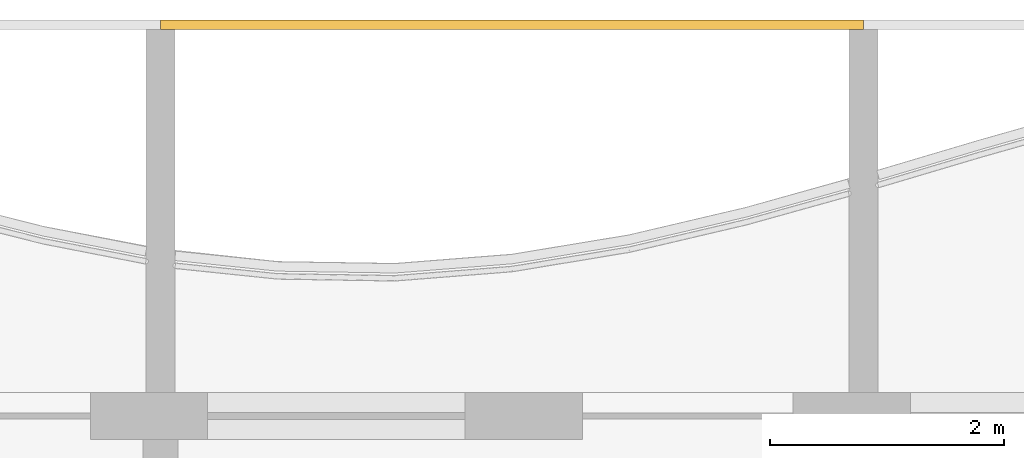
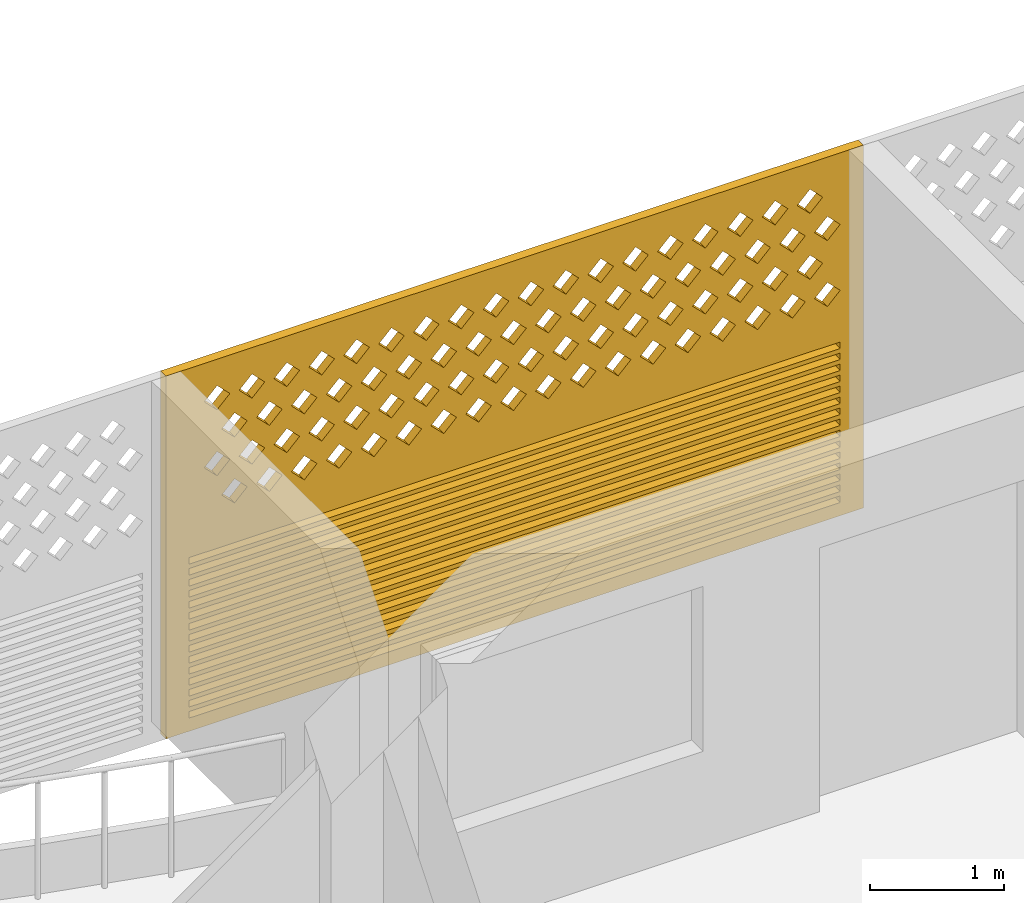
# One storey, part 31 of 33: 1 covering.
"""IFC4 building model written with IfcOpenShell, lengths in metres."""

from ifc_helpers import new_model, si_unit, direction, frame, origin, place, context, subcontext, project, spatial, polyline, outline, extrude, source, transform, mapped, material, material_profile, profile_set, type_object, element, save


model = new_model("IFC4")

# Units and contexts
model_context = context("Model", 3, precision=1e-05, world=origin(), true_north=direction((0.0, 1.0)))
body_context = subcontext(model_context, "Body", "Model", "MODEL_VIEW")
ifc_project = project(units=[si_unit("LENGTHUNIT", "METRE"), si_unit("AREAUNIT", "SQUARE_METRE"), si_unit("VOLUMEUNIT", "CUBIC_METRE"), si_unit("PLANEANGLEUNIT", "RADIAN"), si_unit("MASSUNIT", "GRAM", prefix="KILO")], contexts=[model_context])

# Site, building, storey
site_placement = place(None, origin())
site = spatial("IfcSite", under=ifc_project, at=site_placement, CompositionType="ELEMENT")
building_placement = place(site_placement, origin())
building = spatial("IfcBuilding", under=site, at=building_placement, Name="Poui Terraces", CompositionType="ELEMENT")
storey_placement = place(building_placement, frame((0.0, 0.0, 138.89990234375)))
storey = spatial("IfcBuildingStorey", under=building, at=storey_placement, Name="L38", CompositionType="ELEMENT", Elevation=138.89990234375)

# Covering
ifc_material = material(Name="Terracotta screen", Category="masonry")
ifc_material_profile = material_profile(ifc_material, outline(polyline([(-3.0, -1.64990234375), (3.0, -1.64990234375), (3.0, 1.64990234375), (-3.0, 1.64990234375), (-3.0, -1.64990234375)]), holes=[polyline([(-2.800048828125, 0.39990234375), (-2.68994140625, 0.2900390625), (-2.580078125, 0.39990234375), (-2.68994140625, 0.510009765625), (-2.800048828125, 0.39990234375)]), polyline([(-2.5, 0.39990234375), (-2.389892578125, 0.2900390625), (-2.280029296875, 0.39990234375), (-2.389892578125, 0.510009765625), (-2.5, 0.39990234375)]), polyline([(-2.199951171875, 0.39990234375), (-2.090087890625, 0.2900390625), (-1.97998046875, 0.39990234375), (-2.090087890625, 0.510009765625), (-2.199951171875, 0.39990234375)]), polyline([(-1.89990234375, 0.39990234375), (-1.7900390625, 0.2900390625), (-1.679931640625, 0.39990234375), (-1.7900390625, 0.510009765625), (-1.89990234375, 0.39990234375)]), polyline([(-1.60009765625, 0.39990234375), (-1.489990234375, 0.2900390625), (-1.3798828125, 0.39990234375), (-1.489990234375, 0.510009765625), (-1.60009765625, 0.39990234375)]), polyline([(-1.300048828125, 0.39990234375), (-1.18994140625, 0.2900390625), (-1.080078125, 0.39990234375), (-1.18994140625, 0.510009765625), (-1.300048828125, 0.39990234375)]), polyline([(-1.0, 0.39990234375), (-0.889892578125, 0.2900390625), (-0.780029296875, 0.39990234375), (-0.889892578125, 0.510009765625), (-1.0, 0.39990234375)]), polyline([(-0.699951171875, 0.39990234375), (-0.590087890625, 0.2900390625), (-0.47998046875, 0.39990234375), (-0.590087890625, 0.510009765625), (-0.699951171875, 0.39990234375)]), polyline([(-0.39990234375, 0.39990234375), (-0.2900390625, 0.2900390625), (-0.179931640625, 0.39990234375), (-0.2900390625, 0.510009765625), (-0.39990234375, 0.39990234375)]), polyline([(-0.10009765625, 0.39990234375), (0.010009765625, 0.2900390625), (0.1201171875, 0.39990234375), (0.010009765625, 0.510009765625), (-0.10009765625, 0.39990234375)]), polyline([(0.199951171875, 0.39990234375), (0.31005859375, 0.2900390625), (0.419921875, 0.39990234375), (0.31005859375, 0.510009765625), (0.199951171875, 0.39990234375)]), polyline([(0.5, 0.39990234375), (0.610107421875, 0.2900390625), (0.719970703125, 0.39990234375), (0.610107421875, 0.510009765625), (0.5, 0.39990234375)]), polyline([(0.800048828125, 0.39990234375), (0.909912109375, 0.2900390625), (1.02001953125, 0.39990234375), (0.909912109375, 0.510009765625), (0.800048828125, 0.39990234375)]), polyline([(1.10009765625, 0.39990234375), (1.2099609375, 0.2900390625), (1.320068359375, 0.39990234375), (1.2099609375, 0.510009765625), (1.10009765625, 0.39990234375)]), polyline([(1.39990234375, 0.39990234375), (1.510009765625, 0.2900390625), (1.6201171875, 0.39990234375), (1.510009765625, 0.510009765625), (1.39990234375, 0.39990234375)]), polyline([(1.699951171875, 0.39990234375), (1.81005859375, 0.2900390625), (1.919921875, 0.39990234375), (1.81005859375, 0.510009765625), (1.699951171875, 0.39990234375)]), polyline([(2.0, 0.39990234375), (2.110107421875, 0.2900390625), (2.219970703125, 0.39990234375), (2.110107421875, 0.510009765625), (2.0, 0.39990234375)]), polyline([(2.300048828125, 0.39990234375), (2.409912109375, 0.2900390625), (2.52001953125, 0.39990234375), (2.409912109375, 0.510009765625), (2.300048828125, 0.39990234375)]), polyline([(-2.64990234375, 0.699951171875), (-2.5400390625, 0.590087890625), (-2.429931640625, 0.699951171875), (-2.5400390625, 0.81005859375), (-2.64990234375, 0.699951171875)]), polyline([(-2.35009765625, 0.699951171875), (-2.239990234375, 0.590087890625), (-2.1298828125, 0.699951171875), (-2.239990234375, 0.81005859375), (-2.35009765625, 0.699951171875)]), polyline([(-2.050048828125, 0.699951171875), (-1.93994140625, 0.590087890625), (-1.830078125, 0.699951171875), (-1.93994140625, 0.81005859375), (-2.050048828125, 0.699951171875)]), polyline([(-1.75, 0.699951171875), (-1.639892578125, 0.590087890625), (-1.530029296875, 0.699951171875), (-1.639892578125, 0.81005859375), (-1.75, 0.699951171875)]), polyline([(-1.449951171875, 0.699951171875), (-1.340087890625, 0.590087890625), (-1.22998046875, 0.699951171875), (-1.340087890625, 0.81005859375), (-1.449951171875, 0.699951171875)]), polyline([(-1.14990234375, 0.699951171875), (-1.0400390625, 0.590087890625), (-0.929931640625, 0.699951171875), (-1.0400390625, 0.81005859375), (-1.14990234375, 0.699951171875)]), polyline([(-0.85009765625, 0.699951171875), (-0.739990234375, 0.590087890625), (-0.6298828125, 0.699951171875), (-0.739990234375, 0.81005859375), (-0.85009765625, 0.699951171875)]), polyline([(-0.550048828125, 0.699951171875), (-0.43994140625, 0.590087890625), (-0.330078125, 0.699951171875), (-0.43994140625, 0.81005859375), (-0.550048828125, 0.699951171875)]), polyline([(-0.25, 0.699951171875), (-0.139892578125, 0.590087890625), (-0.030029296875, 0.699951171875), (-0.139892578125, 0.81005859375), (-0.25, 0.699951171875)]), polyline([(0.050048828125, 0.699951171875), (0.159912109375, 0.590087890625), (0.27001953125, 0.699951171875), (0.159912109375, 0.81005859375), (0.050048828125, 0.699951171875)]), polyline([(0.35009765625, 0.699951171875), (0.4599609375, 0.590087890625), (0.570068359375, 0.699951171875), (0.4599609375, 0.81005859375), (0.35009765625, 0.699951171875)]), polyline([(0.64990234375, 0.699951171875), (0.760009765625, 0.590087890625), (0.8701171875, 0.699951171875), (0.760009765625, 0.81005859375), (0.64990234375, 0.699951171875)]), polyline([(0.949951171875, 0.699951171875), (1.06005859375, 0.590087890625), (1.169921875, 0.699951171875), (1.06005859375, 0.81005859375), (0.949951171875, 0.699951171875)]), polyline([(1.25, 0.699951171875), (1.360107421875, 0.590087890625), (1.469970703125, 0.699951171875), (1.360107421875, 0.81005859375), (1.25, 0.699951171875)]), polyline([(1.550048828125, 0.699951171875), (1.659912109375, 0.590087890625), (1.77001953125, 0.699951171875), (1.659912109375, 0.81005859375), (1.550048828125, 0.699951171875)]), polyline([(1.85009765625, 0.699951171875), (1.9599609375, 0.590087890625), (2.070068359375, 0.699951171875), (1.9599609375, 0.81005859375), (1.85009765625, 0.699951171875)]), polyline([(2.14990234375, 0.699951171875), (2.260009765625, 0.590087890625), (2.3701171875, 0.699951171875), (2.260009765625, 0.81005859375), (2.14990234375, 0.699951171875)]), polyline([(2.449951171875, 0.699951171875), (2.56005859375, 0.590087890625), (2.669921875, 0.699951171875), (2.56005859375, 0.81005859375), (2.449951171875, 0.699951171875)]), polyline([(-2.800048828125, 1.0), (-2.68994140625, 0.889892578125), (-2.580078125, 1.0), (-2.68994140625, 1.110107421875), (-2.800048828125, 1.0)]), polyline([(-2.5, 1.0), (-2.389892578125, 0.889892578125), (-2.280029296875, 1.0), (-2.389892578125, 1.110107421875), (-2.5, 1.0)]), polyline([(-2.199951171875, 1.0), (-2.090087890625, 0.889892578125), (-1.97998046875, 1.0), (-2.090087890625, 1.110107421875), (-2.199951171875, 1.0)]), polyline([(-1.89990234375, 1.0), (-1.7900390625, 0.889892578125), (-1.679931640625, 1.0), (-1.7900390625, 1.110107421875), (-1.89990234375, 1.0)]), polyline([(-1.60009765625, 1.0), (-1.489990234375, 0.889892578125), (-1.3798828125, 1.0), (-1.489990234375, 1.110107421875), (-1.60009765625, 1.0)]), polyline([(-1.300048828125, 1.0), (-1.18994140625, 0.889892578125), (-1.080078125, 1.0), (-1.18994140625, 1.110107421875), (-1.300048828125, 1.0)]), polyline([(-1.0, 1.0), (-0.889892578125, 0.889892578125), (-0.780029296875, 1.0), (-0.889892578125, 1.110107421875), (-1.0, 1.0)]), polyline([(-0.699951171875, 1.0), (-0.590087890625, 0.889892578125), (-0.47998046875, 1.0), (-0.590087890625, 1.110107421875), (-0.699951171875, 1.0)]), polyline([(-0.39990234375, 1.0), (-0.2900390625, 0.889892578125), (-0.179931640625, 1.0), (-0.2900390625, 1.110107421875), (-0.39990234375, 1.0)]), polyline([(-0.10009765625, 1.0), (0.010009765625, 0.889892578125), (0.1201171875, 1.0), (0.010009765625, 1.110107421875), (-0.10009765625, 1.0)]), polyline([(0.199951171875, 1.0), (0.31005859375, 0.889892578125), (0.419921875, 1.0), (0.31005859375, 1.110107421875), (0.199951171875, 1.0)]), polyline([(0.5, 1.0), (0.610107421875, 0.889892578125), (0.719970703125, 1.0), (0.610107421875, 1.110107421875), (0.5, 1.0)]), polyline([(0.800048828125, 1.0), (0.909912109375, 0.889892578125), (1.02001953125, 1.0), (0.909912109375, 1.110107421875), (0.800048828125, 1.0)]), polyline([(1.10009765625, 1.0), (1.2099609375, 0.889892578125), (1.320068359375, 1.0), (1.2099609375, 1.110107421875), (1.10009765625, 1.0)]), polyline([(1.39990234375, 1.0), (1.510009765625, 0.889892578125), (1.6201171875, 1.0), (1.510009765625, 1.110107421875), (1.39990234375, 1.0)]), polyline([(1.699951171875, 1.0), (1.81005859375, 0.889892578125), (1.919921875, 1.0), (1.81005859375, 1.110107421875), (1.699951171875, 1.0)]), polyline([(2.0, 1.0), (2.110107421875, 0.889892578125), (2.219970703125, 1.0), (2.110107421875, 1.110107421875), (2.0, 1.0)]), polyline([(2.300048828125, 1.0), (2.409912109375, 0.889892578125), (2.52001953125, 1.0), (2.409912109375, 1.110107421875), (2.300048828125, 1.0)]), polyline([(-2.64990234375, 1.300048828125), (-2.5400390625, 1.18994140625), (-2.429931640625, 1.300048828125), (-2.5400390625, 1.409912109375), (-2.64990234375, 1.300048828125)]), polyline([(-2.35009765625, 1.300048828125), (-2.239990234375, 1.18994140625), (-2.1298828125, 1.300048828125), (-2.239990234375, 1.409912109375), (-2.35009765625, 1.300048828125)]), polyline([(-2.050048828125, 1.300048828125), (-1.93994140625, 1.18994140625), (-1.830078125, 1.300048828125), (-1.93994140625, 1.409912109375), (-2.050048828125, 1.300048828125)]), polyline([(-1.75, 1.300048828125), (-1.639892578125, 1.18994140625), (-1.530029296875, 1.300048828125), (-1.639892578125, 1.409912109375), (-1.75, 1.300048828125)]), polyline([(-1.449951171875, 1.300048828125), (-1.340087890625, 1.18994140625), (-1.22998046875, 1.300048828125), (-1.340087890625, 1.409912109375), (-1.449951171875, 1.300048828125)]), polyline([(-1.14990234375, 1.300048828125), (-1.0400390625, 1.18994140625), (-0.929931640625, 1.300048828125), (-1.0400390625, 1.409912109375), (-1.14990234375, 1.300048828125)]), polyline([(-0.85009765625, 1.300048828125), (-0.739990234375, 1.18994140625), (-0.6298828125, 1.300048828125), (-0.739990234375, 1.409912109375), (-0.85009765625, 1.300048828125)]), polyline([(-0.550048828125, 1.300048828125), (-0.43994140625, 1.18994140625), (-0.330078125, 1.300048828125), (-0.43994140625, 1.409912109375), (-0.550048828125, 1.300048828125)]), polyline([(-0.25, 1.300048828125), (-0.139892578125, 1.18994140625), (-0.030029296875, 1.300048828125), (-0.139892578125, 1.409912109375), (-0.25, 1.300048828125)]), polyline([(0.050048828125, 1.300048828125), (0.159912109375, 1.18994140625), (0.27001953125, 1.300048828125), (0.159912109375, 1.409912109375), (0.050048828125, 1.300048828125)]), polyline([(0.35009765625, 1.300048828125), (0.4599609375, 1.18994140625), (0.570068359375, 1.300048828125), (0.4599609375, 1.409912109375), (0.35009765625, 1.300048828125)]), polyline([(0.64990234375, 1.300048828125), (0.760009765625, 1.18994140625), (0.8701171875, 1.300048828125), (0.760009765625, 1.409912109375), (0.64990234375, 1.300048828125)]), polyline([(0.949951171875, 1.300048828125), (1.06005859375, 1.18994140625), (1.169921875, 1.300048828125), (1.06005859375, 1.409912109375), (0.949951171875, 1.300048828125)]), polyline([(1.25, 1.300048828125), (1.360107421875, 1.18994140625), (1.469970703125, 1.300048828125), (1.360107421875, 1.409912109375), (1.25, 1.300048828125)]), polyline([(1.550048828125, 1.300048828125), (1.659912109375, 1.18994140625), (1.77001953125, 1.300048828125), (1.659912109375, 1.409912109375), (1.550048828125, 1.300048828125)]), polyline([(1.85009765625, 1.300048828125), (1.9599609375, 1.18994140625), (2.070068359375, 1.300048828125), (1.9599609375, 1.409912109375), (1.85009765625, 1.300048828125)]), polyline([(2.14990234375, 1.300048828125), (2.260009765625, 1.18994140625), (2.3701171875, 1.300048828125), (2.260009765625, 1.409912109375), (2.14990234375, 1.300048828125)]), polyline([(2.449951171875, 1.300048828125), (2.56005859375, 1.18994140625), (2.669921875, 1.300048828125), (2.56005859375, 1.409912109375), (2.449951171875, 1.300048828125)]), polyline([(-2.800048828125, -1.530029296875), (2.800048828125, -1.530029296875), (2.800048828125, -1.469970703125), (-2.800048828125, -1.469970703125), (-2.800048828125, -1.530029296875)]), polyline([(-2.800048828125, -1.429931640625), (2.800048828125, -1.429931640625), (2.800048828125, -1.3701171875), (-2.800048828125, -1.3701171875), (-2.800048828125, -1.429931640625)]), polyline([(-2.800048828125, -1.330078125), (2.800048828125, -1.330078125), (2.800048828125, -1.27001953125), (-2.800048828125, -1.27001953125), (-2.800048828125, -1.330078125)]), polyline([(-2.800048828125, -1.22998046875), (2.800048828125, -1.22998046875), (2.800048828125, -1.169921875), (-2.800048828125, -1.169921875), (-2.800048828125, -1.22998046875)]), polyline([(-2.800048828125, -1.1298828125), (2.800048828125, -1.1298828125), (2.800048828125, -1.070068359375), (-2.800048828125, -1.070068359375), (-2.800048828125, -1.1298828125)]), polyline([(-2.800048828125, -1.030029296875), (2.800048828125, -1.030029296875), (2.800048828125, -0.969970703125), (-2.800048828125, -0.969970703125), (-2.800048828125, -1.030029296875)]), polyline([(-2.800048828125, -0.929931640625), (2.800048828125, -0.929931640625), (2.800048828125, -0.8701171875), (-2.800048828125, -0.8701171875), (-2.800048828125, -0.929931640625)]), polyline([(-2.800048828125, -0.830078125), (2.800048828125, -0.830078125), (2.800048828125, -0.77001953125), (-2.800048828125, -0.77001953125), (-2.800048828125, -0.830078125)]), polyline([(-2.800048828125, -0.72998046875), (2.800048828125, -0.72998046875), (2.800048828125, -0.669921875), (-2.800048828125, -0.669921875), (-2.800048828125, -0.72998046875)]), polyline([(-2.800048828125, -0.6298828125), (2.800048828125, -0.6298828125), (2.800048828125, -0.570068359375), (-2.800048828125, -0.570068359375), (-2.800048828125, -0.6298828125)]), polyline([(-2.800048828125, -0.530029296875), (2.800048828125, -0.530029296875), (2.800048828125, -0.469970703125), (-2.800048828125, -0.469970703125), (-2.800048828125, -0.530029296875)]), polyline([(-2.800048828125, -0.429931640625), (2.800048828125, -0.429931640625), (2.800048828125, -0.3701171875), (-2.800048828125, -0.3701171875), (-2.800048828125, -0.429931640625)]), polyline([(-2.800048828125, -0.330078125), (2.800048828125, -0.330078125), (2.800048828125, -0.27001953125), (-2.800048828125, -0.27001953125), (-2.800048828125, -0.330078125)]), polyline([(-2.800048828125, -0.22998046875), (2.800048828125, -0.22998046875), (2.800048828125, -0.169921875), (-2.800048828125, -0.169921875), (-2.800048828125, -0.22998046875)]), polyline([(-2.800048828125, -0.1298828125), (2.800048828125, -0.1298828125), (2.800048828125, -0.070068359375), (-2.800048828125, -0.070068359375), (-2.800048828125, -0.1298828125)])]), Name="TERRACOTTA SCREEN AND JALOUSIE LOUVRE 6000X3300")
ifc_profile_set = profile_set([ifc_material_profile], Name="Terracotta screen")
covering_type = type_object("IfcCoveringType", Name="TERRACOTTA SCREEN AND JALOUSIE LOUVRE 6000X3300", PredefinedType="CLADDING", material=ifc_profile_set)
shared_shape = source(origin(), body_context, "Body", "SweptSolid", [
    extrude(outline(polyline([(-3.0, -1.64990234375), (3.0, -1.64990234375), (3.0, 1.64990234375), (-3.0, 1.64990234375), (-3.0, -1.64990234375)]), holes=[polyline([(-2.800048828125, 0.39990234375), (-2.68994140625, 0.2900390625), (-2.580078125, 0.39990234375), (-2.68994140625, 0.510009765625), (-2.800048828125, 0.39990234375)]), polyline([(-2.5, 0.39990234375), (-2.389892578125, 0.2900390625), (-2.280029296875, 0.39990234375), (-2.389892578125, 0.510009765625), (-2.5, 0.39990234375)]), polyline([(-2.199951171875, 0.39990234375), (-2.090087890625, 0.2900390625), (-1.97998046875, 0.39990234375), (-2.090087890625, 0.510009765625), (-2.199951171875, 0.39990234375)]), polyline([(-1.89990234375, 0.39990234375), (-1.7900390625, 0.2900390625), (-1.679931640625, 0.39990234375), (-1.7900390625, 0.510009765625), (-1.89990234375, 0.39990234375)]), polyline([(-1.60009765625, 0.39990234375), (-1.489990234375, 0.2900390625), (-1.3798828125, 0.39990234375), (-1.489990234375, 0.510009765625), (-1.60009765625, 0.39990234375)]), polyline([(-1.300048828125, 0.39990234375), (-1.18994140625, 0.2900390625), (-1.080078125, 0.39990234375), (-1.18994140625, 0.510009765625), (-1.300048828125, 0.39990234375)]), polyline([(-1.0, 0.39990234375), (-0.889892578125, 0.2900390625), (-0.780029296875, 0.39990234375), (-0.889892578125, 0.510009765625), (-1.0, 0.39990234375)]), polyline([(-0.699951171875, 0.39990234375), (-0.590087890625, 0.2900390625), (-0.47998046875, 0.39990234375), (-0.590087890625, 0.510009765625), (-0.699951171875, 0.39990234375)]), polyline([(-0.39990234375, 0.39990234375), (-0.2900390625, 0.2900390625), (-0.179931640625, 0.39990234375), (-0.2900390625, 0.510009765625), (-0.39990234375, 0.39990234375)]), polyline([(-0.10009765625, 0.39990234375), (0.010009765625, 0.2900390625), (0.1201171875, 0.39990234375), (0.010009765625, 0.510009765625), (-0.10009765625, 0.39990234375)]), polyline([(0.199951171875, 0.39990234375), (0.31005859375, 0.2900390625), (0.419921875, 0.39990234375), (0.31005859375, 0.510009765625), (0.199951171875, 0.39990234375)]), polyline([(0.5, 0.39990234375), (0.610107421875, 0.2900390625), (0.719970703125, 0.39990234375), (0.610107421875, 0.510009765625), (0.5, 0.39990234375)]), polyline([(0.800048828125, 0.39990234375), (0.909912109375, 0.2900390625), (1.02001953125, 0.39990234375), (0.909912109375, 0.510009765625), (0.800048828125, 0.39990234375)]), polyline([(1.10009765625, 0.39990234375), (1.2099609375, 0.2900390625), (1.320068359375, 0.39990234375), (1.2099609375, 0.510009765625), (1.10009765625, 0.39990234375)]), polyline([(1.39990234375, 0.39990234375), (1.510009765625, 0.2900390625), (1.6201171875, 0.39990234375), (1.510009765625, 0.510009765625), (1.39990234375, 0.39990234375)]), polyline([(1.699951171875, 0.39990234375), (1.81005859375, 0.2900390625), (1.919921875, 0.39990234375), (1.81005859375, 0.510009765625), (1.699951171875, 0.39990234375)]), polyline([(2.0, 0.39990234375), (2.110107421875, 0.2900390625), (2.219970703125, 0.39990234375), (2.110107421875, 0.510009765625), (2.0, 0.39990234375)]), polyline([(2.300048828125, 0.39990234375), (2.409912109375, 0.2900390625), (2.52001953125, 0.39990234375), (2.409912109375, 0.510009765625), (2.300048828125, 0.39990234375)]), polyline([(-2.64990234375, 0.699951171875), (-2.5400390625, 0.590087890625), (-2.429931640625, 0.699951171875), (-2.5400390625, 0.81005859375), (-2.64990234375, 0.699951171875)]), polyline([(-2.35009765625, 0.699951171875), (-2.239990234375, 0.590087890625), (-2.1298828125, 0.699951171875), (-2.239990234375, 0.81005859375), (-2.35009765625, 0.699951171875)]), polyline([(-2.050048828125, 0.699951171875), (-1.93994140625, 0.590087890625), (-1.830078125, 0.699951171875), (-1.93994140625, 0.81005859375), (-2.050048828125, 0.699951171875)]), polyline([(-1.75, 0.699951171875), (-1.639892578125, 0.590087890625), (-1.530029296875, 0.699951171875), (-1.639892578125, 0.81005859375), (-1.75, 0.699951171875)]), polyline([(-1.449951171875, 0.699951171875), (-1.340087890625, 0.590087890625), (-1.22998046875, 0.699951171875), (-1.340087890625, 0.81005859375), (-1.449951171875, 0.699951171875)]), polyline([(-1.14990234375, 0.699951171875), (-1.0400390625, 0.590087890625), (-0.929931640625, 0.699951171875), (-1.0400390625, 0.81005859375), (-1.14990234375, 0.699951171875)]), polyline([(-0.85009765625, 0.699951171875), (-0.739990234375, 0.590087890625), (-0.6298828125, 0.699951171875), (-0.739990234375, 0.81005859375), (-0.85009765625, 0.699951171875)]), polyline([(-0.550048828125, 0.699951171875), (-0.43994140625, 0.590087890625), (-0.330078125, 0.699951171875), (-0.43994140625, 0.81005859375), (-0.550048828125, 0.699951171875)]), polyline([(-0.25, 0.699951171875), (-0.139892578125, 0.590087890625), (-0.030029296875, 0.699951171875), (-0.139892578125, 0.81005859375), (-0.25, 0.699951171875)]), polyline([(0.050048828125, 0.699951171875), (0.159912109375, 0.590087890625), (0.27001953125, 0.699951171875), (0.159912109375, 0.81005859375), (0.050048828125, 0.699951171875)]), polyline([(0.35009765625, 0.699951171875), (0.4599609375, 0.590087890625), (0.570068359375, 0.699951171875), (0.4599609375, 0.81005859375), (0.35009765625, 0.699951171875)]), polyline([(0.64990234375, 0.699951171875), (0.760009765625, 0.590087890625), (0.8701171875, 0.699951171875), (0.760009765625, 0.81005859375), (0.64990234375, 0.699951171875)]), polyline([(0.949951171875, 0.699951171875), (1.06005859375, 0.590087890625), (1.169921875, 0.699951171875), (1.06005859375, 0.81005859375), (0.949951171875, 0.699951171875)]), polyline([(1.25, 0.699951171875), (1.360107421875, 0.590087890625), (1.469970703125, 0.699951171875), (1.360107421875, 0.81005859375), (1.25, 0.699951171875)]), polyline([(1.550048828125, 0.699951171875), (1.659912109375, 0.590087890625), (1.77001953125, 0.699951171875), (1.659912109375, 0.81005859375), (1.550048828125, 0.699951171875)]), polyline([(1.85009765625, 0.699951171875), (1.9599609375, 0.590087890625), (2.070068359375, 0.699951171875), (1.9599609375, 0.81005859375), (1.85009765625, 0.699951171875)]), polyline([(2.14990234375, 0.699951171875), (2.260009765625, 0.590087890625), (2.3701171875, 0.699951171875), (2.260009765625, 0.81005859375), (2.14990234375, 0.699951171875)]), polyline([(2.449951171875, 0.699951171875), (2.56005859375, 0.590087890625), (2.669921875, 0.699951171875), (2.56005859375, 0.81005859375), (2.449951171875, 0.699951171875)]), polyline([(-2.800048828125, 1.0), (-2.68994140625, 0.889892578125), (-2.580078125, 1.0), (-2.68994140625, 1.110107421875), (-2.800048828125, 1.0)]), polyline([(-2.5, 1.0), (-2.389892578125, 0.889892578125), (-2.280029296875, 1.0), (-2.389892578125, 1.110107421875), (-2.5, 1.0)]), polyline([(-2.199951171875, 1.0), (-2.090087890625, 0.889892578125), (-1.97998046875, 1.0), (-2.090087890625, 1.110107421875), (-2.199951171875, 1.0)]), polyline([(-1.89990234375, 1.0), (-1.7900390625, 0.889892578125), (-1.679931640625, 1.0), (-1.7900390625, 1.110107421875), (-1.89990234375, 1.0)]), polyline([(-1.60009765625, 1.0), (-1.489990234375, 0.889892578125), (-1.3798828125, 1.0), (-1.489990234375, 1.110107421875), (-1.60009765625, 1.0)]), polyline([(-1.300048828125, 1.0), (-1.18994140625, 0.889892578125), (-1.080078125, 1.0), (-1.18994140625, 1.110107421875), (-1.300048828125, 1.0)]), polyline([(-1.0, 1.0), (-0.889892578125, 0.889892578125), (-0.780029296875, 1.0), (-0.889892578125, 1.110107421875), (-1.0, 1.0)]), polyline([(-0.699951171875, 1.0), (-0.590087890625, 0.889892578125), (-0.47998046875, 1.0), (-0.590087890625, 1.110107421875), (-0.699951171875, 1.0)]), polyline([(-0.39990234375, 1.0), (-0.2900390625, 0.889892578125), (-0.179931640625, 1.0), (-0.2900390625, 1.110107421875), (-0.39990234375, 1.0)]), polyline([(-0.10009765625, 1.0), (0.010009765625, 0.889892578125), (0.1201171875, 1.0), (0.010009765625, 1.110107421875), (-0.10009765625, 1.0)]), polyline([(0.199951171875, 1.0), (0.31005859375, 0.889892578125), (0.419921875, 1.0), (0.31005859375, 1.110107421875), (0.199951171875, 1.0)]), polyline([(0.5, 1.0), (0.610107421875, 0.889892578125), (0.719970703125, 1.0), (0.610107421875, 1.110107421875), (0.5, 1.0)]), polyline([(0.800048828125, 1.0), (0.909912109375, 0.889892578125), (1.02001953125, 1.0), (0.909912109375, 1.110107421875), (0.800048828125, 1.0)]), polyline([(1.10009765625, 1.0), (1.2099609375, 0.889892578125), (1.320068359375, 1.0), (1.2099609375, 1.110107421875), (1.10009765625, 1.0)]), polyline([(1.39990234375, 1.0), (1.510009765625, 0.889892578125), (1.6201171875, 1.0), (1.510009765625, 1.110107421875), (1.39990234375, 1.0)]), polyline([(1.699951171875, 1.0), (1.81005859375, 0.889892578125), (1.919921875, 1.0), (1.81005859375, 1.110107421875), (1.699951171875, 1.0)]), polyline([(2.0, 1.0), (2.110107421875, 0.889892578125), (2.219970703125, 1.0), (2.110107421875, 1.110107421875), (2.0, 1.0)]), polyline([(2.300048828125, 1.0), (2.409912109375, 0.889892578125), (2.52001953125, 1.0), (2.409912109375, 1.110107421875), (2.300048828125, 1.0)]), polyline([(-2.64990234375, 1.300048828125), (-2.5400390625, 1.18994140625), (-2.429931640625, 1.300048828125), (-2.5400390625, 1.409912109375), (-2.64990234375, 1.300048828125)]), polyline([(-2.35009765625, 1.300048828125), (-2.239990234375, 1.18994140625), (-2.1298828125, 1.300048828125), (-2.239990234375, 1.409912109375), (-2.35009765625, 1.300048828125)]), polyline([(-2.050048828125, 1.300048828125), (-1.93994140625, 1.18994140625), (-1.830078125, 1.300048828125), (-1.93994140625, 1.409912109375), (-2.050048828125, 1.300048828125)]), polyline([(-1.75, 1.300048828125), (-1.639892578125, 1.18994140625), (-1.530029296875, 1.300048828125), (-1.639892578125, 1.409912109375), (-1.75, 1.300048828125)]), polyline([(-1.449951171875, 1.300048828125), (-1.340087890625, 1.18994140625), (-1.22998046875, 1.300048828125), (-1.340087890625, 1.409912109375), (-1.449951171875, 1.300048828125)]), polyline([(-1.14990234375, 1.300048828125), (-1.0400390625, 1.18994140625), (-0.929931640625, 1.300048828125), (-1.0400390625, 1.409912109375), (-1.14990234375, 1.300048828125)]), polyline([(-0.85009765625, 1.300048828125), (-0.739990234375, 1.18994140625), (-0.6298828125, 1.300048828125), (-0.739990234375, 1.409912109375), (-0.85009765625, 1.300048828125)]), polyline([(-0.550048828125, 1.300048828125), (-0.43994140625, 1.18994140625), (-0.330078125, 1.300048828125), (-0.43994140625, 1.409912109375), (-0.550048828125, 1.300048828125)]), polyline([(-0.25, 1.300048828125), (-0.139892578125, 1.18994140625), (-0.030029296875, 1.300048828125), (-0.139892578125, 1.409912109375), (-0.25, 1.300048828125)]), polyline([(0.050048828125, 1.300048828125), (0.159912109375, 1.18994140625), (0.27001953125, 1.300048828125), (0.159912109375, 1.409912109375), (0.050048828125, 1.300048828125)]), polyline([(0.35009765625, 1.300048828125), (0.4599609375, 1.18994140625), (0.570068359375, 1.300048828125), (0.4599609375, 1.409912109375), (0.35009765625, 1.300048828125)]), polyline([(0.64990234375, 1.300048828125), (0.760009765625, 1.18994140625), (0.8701171875, 1.300048828125), (0.760009765625, 1.409912109375), (0.64990234375, 1.300048828125)]), polyline([(0.949951171875, 1.300048828125), (1.06005859375, 1.18994140625), (1.169921875, 1.300048828125), (1.06005859375, 1.409912109375), (0.949951171875, 1.300048828125)]), polyline([(1.25, 1.300048828125), (1.360107421875, 1.18994140625), (1.469970703125, 1.300048828125), (1.360107421875, 1.409912109375), (1.25, 1.300048828125)]), polyline([(1.550048828125, 1.300048828125), (1.659912109375, 1.18994140625), (1.77001953125, 1.300048828125), (1.659912109375, 1.409912109375), (1.550048828125, 1.300048828125)]), polyline([(1.85009765625, 1.300048828125), (1.9599609375, 1.18994140625), (2.070068359375, 1.300048828125), (1.9599609375, 1.409912109375), (1.85009765625, 1.300048828125)]), polyline([(2.14990234375, 1.300048828125), (2.260009765625, 1.18994140625), (2.3701171875, 1.300048828125), (2.260009765625, 1.409912109375), (2.14990234375, 1.300048828125)]), polyline([(2.449951171875, 1.300048828125), (2.56005859375, 1.18994140625), (2.669921875, 1.300048828125), (2.56005859375, 1.409912109375), (2.449951171875, 1.300048828125)]), polyline([(-2.800048828125, -1.530029296875), (2.800048828125, -1.530029296875), (2.800048828125, -1.469970703125), (-2.800048828125, -1.469970703125), (-2.800048828125, -1.530029296875)]), polyline([(-2.800048828125, -1.429931640625), (2.800048828125, -1.429931640625), (2.800048828125, -1.3701171875), (-2.800048828125, -1.3701171875), (-2.800048828125, -1.429931640625)]), polyline([(-2.800048828125, -1.330078125), (2.800048828125, -1.330078125), (2.800048828125, -1.27001953125), (-2.800048828125, -1.27001953125), (-2.800048828125, -1.330078125)]), polyline([(-2.800048828125, -1.22998046875), (2.800048828125, -1.22998046875), (2.800048828125, -1.169921875), (-2.800048828125, -1.169921875), (-2.800048828125, -1.22998046875)]), polyline([(-2.800048828125, -1.1298828125), (2.800048828125, -1.1298828125), (2.800048828125, -1.070068359375), (-2.800048828125, -1.070068359375), (-2.800048828125, -1.1298828125)]), polyline([(-2.800048828125, -1.030029296875), (2.800048828125, -1.030029296875), (2.800048828125, -0.969970703125), (-2.800048828125, -0.969970703125), (-2.800048828125, -1.030029296875)]), polyline([(-2.800048828125, -0.929931640625), (2.800048828125, -0.929931640625), (2.800048828125, -0.8701171875), (-2.800048828125, -0.8701171875), (-2.800048828125, -0.929931640625)]), polyline([(-2.800048828125, -0.830078125), (2.800048828125, -0.830078125), (2.800048828125, -0.77001953125), (-2.800048828125, -0.77001953125), (-2.800048828125, -0.830078125)]), polyline([(-2.800048828125, -0.72998046875), (2.800048828125, -0.72998046875), (2.800048828125, -0.669921875), (-2.800048828125, -0.669921875), (-2.800048828125, -0.72998046875)]), polyline([(-2.800048828125, -0.6298828125), (2.800048828125, -0.6298828125), (2.800048828125, -0.570068359375), (-2.800048828125, -0.570068359375), (-2.800048828125, -0.6298828125)]), polyline([(-2.800048828125, -0.530029296875), (2.800048828125, -0.530029296875), (2.800048828125, -0.469970703125), (-2.800048828125, -0.469970703125), (-2.800048828125, -0.530029296875)]), polyline([(-2.800048828125, -0.429931640625), (2.800048828125, -0.429931640625), (2.800048828125, -0.3701171875), (-2.800048828125, -0.3701171875), (-2.800048828125, -0.429931640625)]), polyline([(-2.800048828125, -0.330078125), (2.800048828125, -0.330078125), (2.800048828125, -0.27001953125), (-2.800048828125, -0.27001953125), (-2.800048828125, -0.330078125)]), polyline([(-2.800048828125, -0.22998046875), (2.800048828125, -0.22998046875), (2.800048828125, -0.169921875), (-2.800048828125, -0.169921875), (-2.800048828125, -0.22998046875)]), polyline([(-2.800048828125, -0.1298828125), (2.800048828125, -0.1298828125), (2.800048828125, -0.070068359375), (-2.800048828125, -0.070068359375), (-2.800048828125, -0.1298828125)])]), origin(), (0.0, 0.0, 1.0), 0.080078125),
])
covering_placement = place(storey_placement, frame((75.0, 45.699951171875, 1.4501953125), z_axis=(0.0, 1.0, 0.0), x_axis=(-1.0, 0.0, 0.0)))
element("IfcCovering", 1, at=covering_placement, inside=storey, type_object=covering_type, Name="SOLAR SCREEN AND JALOUSIE LOUVRE", PredefinedType="CLADDING", context=body_context, shape_type="MappedRepresentation", body=[
    mapped(shared_shape, transform((0.0, 0.0, 0.0))),
])

save(model, "model.ifc")
